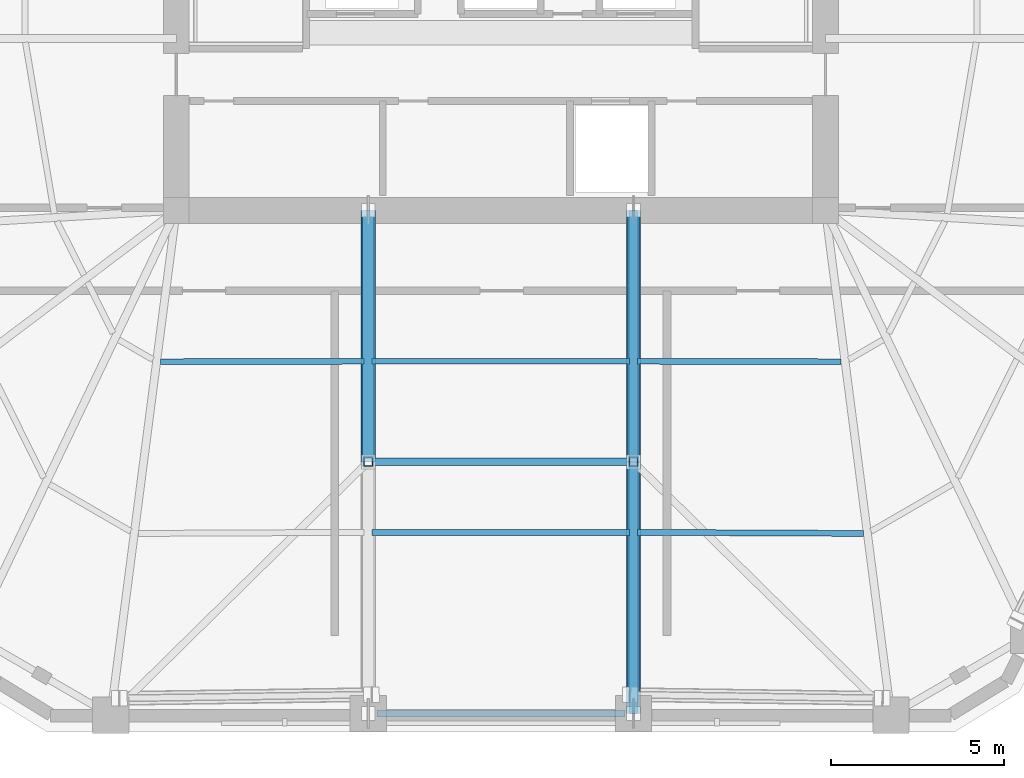
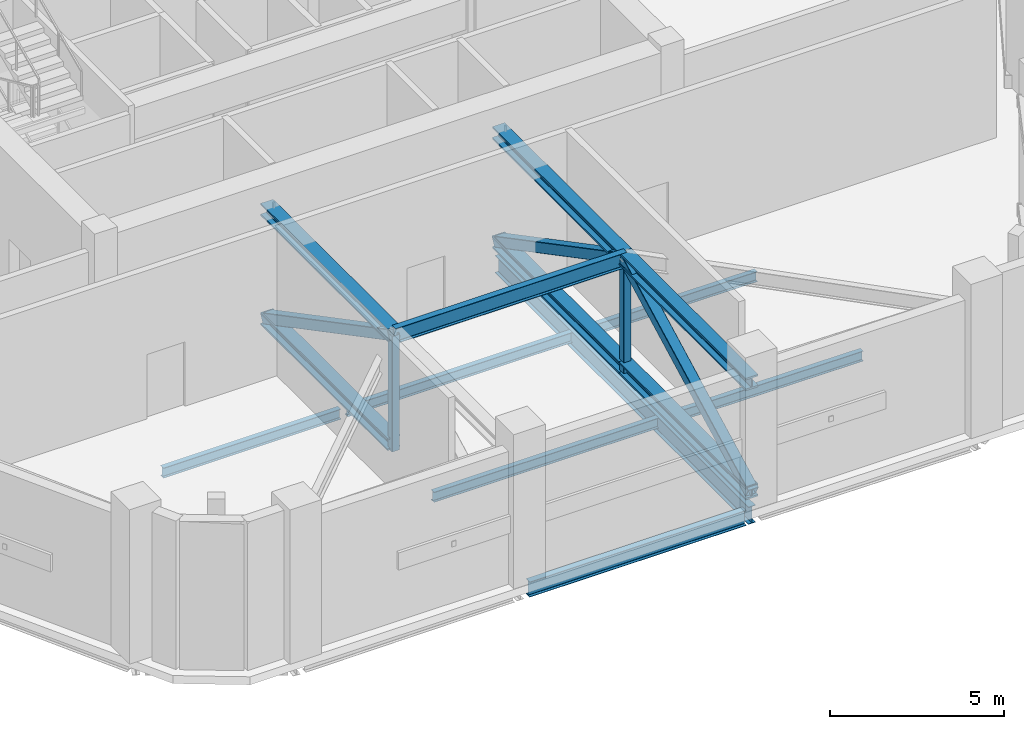
# One storey, part 2 of 15: 11 members, 8 beams.
"""IFC4 building model written with IfcOpenShell, lengths in metres."""

from ifc_helpers import new_model, si_unit, direction, frame, origin, origin_2d, place, context, subcontext, project, spatial, hollow_rectangle, i_section, extrude, material, material_profile, profile_set, type_object, element, save


model = new_model("IFC4")

# Units and contexts
model_context = context("Model", 3, precision=1e-05, world=origin(), true_north=direction((0.0, 1.0)))
body_context = subcontext(model_context, "Body", "Model", "MODEL_VIEW")
ifc_project = project(units=[si_unit("LENGTHUNIT", "METRE"), si_unit("AREAUNIT", "SQUARE_METRE"), si_unit("VOLUMEUNIT", "CUBIC_METRE"), si_unit("PLANEANGLEUNIT", "RADIAN"), si_unit("MASSUNIT", "GRAM", prefix="KILO")], contexts=[model_context])

# Site, building, storey
site_placement = place(None, origin())
site = spatial("IfcSite", under=ifc_project, at=site_placement, CompositionType="ELEMENT")
building_placement = place(site_placement, origin())
building = spatial("IfcBuilding", under=site, at=building_placement, Name="Cinnabar Lancet Tower", CompositionType="ELEMENT")
storey_placement = place(building_placement, frame((0.0, 0.0, 148.10009765625)))
storey = spatial("IfcBuildingStorey", under=building, at=storey_placement, Name="L39", CompositionType="ELEMENT", Elevation=148.10009765625)

# Beams
ifc_material_1 = material(Name="Structural steel S355", Category="steel")
ifc_material_profile_1 = material_profile(ifc_material_1, i_section(OverallWidth=0.17138671875, OverallDepth=0.35498046875, WebThickness=0.00732421875, FlangeThickness=0.011474609375, FilletRadius=0.01025390625, at=origin_2d()), Name="UKB 356x171x51")
ifc_profile_set_1 = profile_set([ifc_material_profile_1], Name="Structural steel S355")
beam_type_1 = type_object("IfcBeamType", Name="STR-BM-JST-356", PredefinedType="JOIST", material=ifc_profile_set_1)
beam_1_placement = place(storey_placement, frame((22.572021484375, 14.14892578125, -0.4580078125), z_axis=(0.999996247906, 0.002739374605, 0.0), x_axis=(-0.002739374605, 0.999996247906, 0.0)))
element("IfcBeam", 1, at=beam_1_placement, inside=storey, type_object=beam_type_1, Name="L39 Secondary Floor Joist 10", PredefinedType="JOIST", context=body_context, shape_type="SweptSolid", body=[
    extrude(i_section(OverallWidth=0.17138671875, OverallDepth=0.35498046875, WebThickness=0.00732421875, FlangeThickness=0.011474609375, FilletRadius=0.01025390625, at=origin_2d()), origin(), (0.0, 0.0, 1.0), 5.882080078125),
])
for number, where, z_axis, x_axis, name in (
    (2, (28.681884765625, 9.22412109375, -0.4580078125), (1.0, 0.0, 0.0), (0.0, 1.0, 0.0), "L39 Secondary Floor Joist 11"),
    (3, (28.681884765625, 14.1650390625, -0.4580078125), (1.0, 0.0, 0.0), (0.0, 1.0, 0.0), "L39 Secondary Floor Joist 12"),
):
    element("IfcBeam", number, at=place(storey_placement, frame(where, z_axis=z_axis, x_axis=x_axis)), inside=storey, type_object=beam_type_1, Name=name, PredefinedType="JOIST", context=body_context, shape_type="SweptSolid", body=[
        extrude(i_section(OverallWidth=0.17138671875, OverallDepth=0.35498046875, WebThickness=0.00732421875, FlangeThickness=0.011474609375, FilletRadius=0.01025390625, at=origin_2d()), origin(), (0.0, 0.0, 1.0), 7.43603515625),
    ])
beam_2_placement = place(storey_placement, frame((36.345947265625, 9.222900390625, -0.4580078125), z_axis=(0.999987991898, -0.004900618269, 0.0), x_axis=(0.004900618269, 0.999987991898, 0.0)))
element("IfcBeam", 4, at=beam_2_placement, inside=storey, type_object=beam_type_1, Name="L39 Secondary Floor Joist 13", PredefinedType="JOIST", context=body_context, shape_type="SweptSolid", body=[
    extrude(i_section(OverallWidth=0.17138671875, OverallDepth=0.35498046875, WebThickness=0.00732421875, FlangeThickness=0.011474609375, FilletRadius=0.01025390625, at=origin_2d()), origin(), (0.0, 0.0, 1.0), 6.526123046875),
])
beam_3_placement = place(storey_placement, frame((36.345947265625, 14.1650390625, -0.4580078125), z_axis=(0.999996247906, -0.002739374605, 0.0), x_axis=(0.002739374605, 0.999996247906, 0.0)))
element("IfcBeam", 5, at=beam_3_placement, inside=storey, type_object=beam_type_1, Name="L39 Secondary Floor Joist 14", PredefinedType="JOIST", context=body_context, shape_type="SweptSolid", body=[
    extrude(i_section(OverallWidth=0.17138671875, OverallDepth=0.35498046875, WebThickness=0.00732421875, FlangeThickness=0.011474609375, FilletRadius=0.01025390625, at=origin_2d()), origin(), (0.0, 0.0, 1.0), 5.882080078125),
])
ifc_material_2 = material(Name="Structural steel S355", Category="steel")
ifc_material_profile_2 = material_profile(ifc_material_2, i_section(OverallWidth=0.209228515625, OverallDepth=0.533203125, WebThickness=0.010009765625, FlangeThickness=0.015625, FilletRadius=0.0126953125, at=origin_2d()), Name="UKB 533x210x92")
ifc_profile_set_2 = profile_set([ifc_material_profile_2], Name="Structural steel S355")
beam_type_2 = type_object("IfcBeamType", Name="STR-BM-SPN-533", PredefinedType="SPANDREL", material=ifc_profile_set_2)
beam_4_placement = place(storey_placement, frame((28.818115234375, 3.991943359375, -0.547119140625), z_axis=(1.0, 0.0, 0.0), x_axis=(0.0, 1.0, 0.0)))
element("IfcBeam", 6, at=beam_4_placement, inside=storey, type_object=beam_type_2, Name="L39 Perimeter Spandrel 2", PredefinedType="SPANDREL", context=body_context, shape_type="SweptSolid", body=[
    extrude(i_section(OverallWidth=0.209228515625, OverallDepth=0.533203125, WebThickness=0.010009765625, FlangeThickness=0.015625, FilletRadius=0.0126953125, at=origin_2d()), origin(), (0.0, 0.0, 1.0), 7.163818359375),
])
ifc_material_3 = material(Name="Structural steel S355", Category="steel")
ifc_material_profile_3 = material_profile(ifc_material_3, i_section(OverallWidth=0.209228515625, OverallDepth=0.533203125, WebThickness=0.010009765625, FlangeThickness=0.015625, FilletRadius=0.0126953125, at=origin_2d()), Name="UKB 533x210x92")
ifc_profile_set_3 = profile_set([ifc_material_profile_3], Name="Structural steel S355")
beam_type_3 = type_object("IfcBeamType", Name="STR-BM-UKB533-92", PredefinedType="BEAM", material=ifc_profile_set_3)
beam_5_placement = place(storey_placement, frame((28.568115234375, 11.258056640625, 3.992919921875), z_axis=(1.0, 0.0, 0.0), x_axis=(0.0, 1.0, 0.0)))
element("IfcBeam", 7, at=beam_5_placement, inside=storey, type_object=beam_type_3, Name="L39 Outrigger S Tie Beam 2", PredefinedType="BEAM", context=body_context, shape_type="SweptSolid", body=[
    extrude(i_section(OverallWidth=0.209228515625, OverallDepth=0.533203125, WebThickness=0.010009765625, FlangeThickness=0.015625, FilletRadius=0.0126953125, at=origin_2d()), origin(), (0.0, 0.0, 1.0), 7.663818359375),
])
ifc_material_4 = material(Name="Structural steel S355", Category="steel")
ifc_material_profile_4 = material_profile(ifc_material_4, i_section(OverallWidth=0.228271484375, OverallDepth=0.607666015625, WebThickness=0.010986328125, FlangeThickness=0.017333984375, FilletRadius=0.0126953125, at=origin_2d()), Name="UKB 610x229x113")
ifc_profile_set_4 = profile_set([ifc_material_profile_4], Name="Structural steel S355")
beam_type_4 = type_object("IfcBeamType", Name="STR-BM-UKB610-113", PredefinedType="BEAM", material=ifc_profile_set_4)
beam_6_placement = place(storey_placement, frame((36.23193359375, 3.991943359375, -0.583984375), z_axis=(0.0, 1.0, 0.0), x_axis=(-1.0, 0.0, 0.0)))
element("IfcBeam", 8, at=beam_6_placement, inside=storey, type_object=beam_type_4, Name="L39 Primary Floor Girder 3", PredefinedType="BEAM", context=body_context, shape_type="SweptSolid", body=[
    extrude(i_section(OverallWidth=0.228271484375, OverallDepth=0.607666015625, WebThickness=0.010986328125, FlangeThickness=0.017333984375, FilletRadius=0.0126953125, at=origin_2d()), origin(), (0.0, 0.0, 1.0), 14.532958984375),
])

# Members
ifc_material_5 = material(Name="Structural steel S460", Category="steel")
ifc_material_profile_5 = material_profile(ifc_material_5, hollow_rectangle(XDim=0.25, YDim=0.25, WallThickness=0.012451171875, InnerFilletRadius=0.00634765625, OuterFilletRadius=0.018798828125, at=origin_2d()), Name="SHS 250x250x12.5")
ifc_profile_set_5 = profile_set([ifc_material_profile_5], Name="Structural steel S460")
member_type_1 = type_object("IfcMemberType", Name="STR-MEM-BT-PST250", PredefinedType="STRUT", material=ifc_profile_set_5)
for number, where, z_axis, x_axis, name in (
    (9, (28.568115234375, 11.258056640625, 0.0), (0.0, 0.0, 1.0), (1.0, 0.0, 0.0), "L39 Outrigger Truss 1 Web Strut"),
    (10, (36.23193359375, 11.258056640625, 0.0), (0.0, 0.0, 1.0), (1.0, 0.0, 0.0), "L39 Outrigger Truss 2 Web Strut"),
):
    element("IfcMember", number, at=place(storey_placement, frame(where, z_axis=z_axis, x_axis=x_axis)), inside=storey, type_object=member_type_1, Name=name, PredefinedType="STRUT", context=body_context, shape_type="SweptSolid", body=[
        extrude(hollow_rectangle(XDim=0.25, YDim=0.25, WallThickness=0.012451171875, InnerFilletRadius=0.00634765625, OuterFilletRadius=0.018798828125, at=origin_2d()), origin(), (0.0, 0.0, 1.0), 4.039794921875),
    ])
ifc_material_6 = material(Name="Structural steel S460", Category="steel")
ifc_material_profile_6 = material_profile(ifc_material_6, hollow_rectangle(XDim=0.35009765625, YDim=0.35009765625, WallThickness=0.01611328125, InnerFilletRadius=0.008056640625, OuterFilletRadius=0.02392578125, at=origin_2d()), Name="SHS 350x350x16")
ifc_profile_set_6 = profile_set([ifc_material_profile_6], Name="Structural steel S460")
member_type_2 = type_object("IfcMemberType", Name="STR-MEM-OT-BRC350", PredefinedType="BRACE", material=ifc_profile_set_6)
for number, where, z_axis, x_axis, name in (
    (11, (28.568115234375, 18.52490234375, 0.219970703125), (0.0, -0.885160653418, 0.465285522707), (1.0, 0.0, 0.0), "L39 Outrigger Truss 1 Diagonal 1"),
    (12, (36.23193359375, 18.52490234375, 0.219970703125), (0.0, -0.885160653418, 0.465285522707), (1.0, 0.0, 0.0), "L39 Outrigger Truss 2 Diagonal 1"),
):
    element("IfcMember", number, at=place(storey_placement, frame(where, z_axis=z_axis, x_axis=x_axis)), inside=storey, type_object=member_type_2, Name=name, PredefinedType="BRACE", context=body_context, shape_type="SweptSolid", body=[
        extrude(hollow_rectangle(XDim=0.35009765625, YDim=0.35009765625, WallThickness=0.01611328125, InnerFilletRadius=0.008056640625, OuterFilletRadius=0.02392578125, at=origin_2d()), origin(), (0.0, 0.0, 1.0), 8.209716796875),
    ])
member_1_placement = place(storey_placement, frame((36.23193359375, 11.258056640625, 4.039794921875), z_axis=(0.0, -0.885141336938, -0.465322268588), x_axis=(1.0, 0.0, 0.0)))
element("IfcMember", 13, at=member_1_placement, inside=storey, type_object=member_type_2, Name="L39 Outrigger Truss 2 Diagonal 2", PredefinedType="BRACE", context=body_context, shape_type="SweptSolid", body=[
    extrude(hollow_rectangle(XDim=0.35009765625, YDim=0.35009765625, WallThickness=0.01611328125, InnerFilletRadius=0.008056640625, OuterFilletRadius=0.02392578125, at=origin_2d()), origin(), (0.0, 0.0, 1.0), 8.208984375),
])
ifc_material_7 = material(Name="Structural steel S460", Category="steel")
ifc_material_profile_7 = material_profile(ifc_material_7, i_section(OverallWidth=0.412109375, OverallDepth=0.43505859375, WebThickness=0.035888671875, FlangeThickness=0.05810546875, FilletRadius=0.014892578125, at=origin_2d()), Name="HD 400x463")
ifc_profile_set_7 = profile_set([ifc_material_profile_7], Name="Structural steel S460")
member_type_3 = type_object("IfcMemberType", Name="STR-MEM-OT-CHD463", PredefinedType="CHORD", material=ifc_profile_set_7)
for number, where, z_axis, x_axis, name in (
    (14, (28.568115234375, 18.52490234375, 0.219970703125), (0.0, -1.0, 0.0), (1.0, 0.0, 0.0), "L39 Outrigger Truss 1 Chord BC1"),
    (15, (28.568115234375, 18.52490234375, 4.039794921875), (0.0, -1.0, 0.0), (1.0, 0.0, 0.0), "L39 Outrigger Truss 1 Chord TC1"),
    (16, (36.23193359375, 18.52490234375, 0.219970703125), (0.0, -1.0, 0.0), (1.0, 0.0, 0.0), "L39 Outrigger Truss 2 Chord BC1"),
):
    element("IfcMember", number, at=place(storey_placement, frame(where, z_axis=z_axis, x_axis=x_axis)), inside=storey, type_object=member_type_3, Name=name, PredefinedType="CHORD", context=body_context, shape_type="SweptSolid", body=[
        extrude(i_section(OverallWidth=0.412109375, OverallDepth=0.43505859375, WebThickness=0.035888671875, FlangeThickness=0.05810546875, FilletRadius=0.014892578125, at=origin_2d()), origin(), (0.0, 0.0, 1.0), 7.266845703125),
    ])
member_2_placement = place(storey_placement, frame((36.23193359375, 11.258056640625, 0.219970703125), z_axis=(0.0, -1.0, 0.0), x_axis=(1.0, 0.0, 0.0)))
element("IfcMember", 17, at=member_2_placement, inside=storey, type_object=member_type_3, Name="L39 Outrigger Truss 2 Chord BC2", PredefinedType="CHORD", context=body_context, shape_type="SweptSolid", body=[
    extrude(i_section(OverallWidth=0.412109375, OverallDepth=0.43505859375, WebThickness=0.035888671875, FlangeThickness=0.05810546875, FilletRadius=0.014892578125, at=origin_2d()), origin(), (0.0, 0.0, 1.0), 7.26611328125),
])
member_3_placement = place(storey_placement, frame((36.23193359375, 18.52490234375, 4.039794921875), z_axis=(0.0, -1.0, 0.0), x_axis=(1.0, 0.0, 0.0)))
element("IfcMember", 18, at=member_3_placement, inside=storey, type_object=member_type_3, Name="L39 Outrigger Truss 2 Chord TC1", PredefinedType="CHORD", context=body_context, shape_type="SweptSolid", body=[
    extrude(i_section(OverallWidth=0.412109375, OverallDepth=0.43505859375, WebThickness=0.035888671875, FlangeThickness=0.05810546875, FilletRadius=0.014892578125, at=origin_2d()), origin(), (0.0, 0.0, 1.0), 7.266845703125),
])
member_4_placement = place(storey_placement, frame((36.23193359375, 11.258056640625, 4.039794921875), z_axis=(0.0, -1.0, 0.0), x_axis=(1.0, 0.0, 0.0)))
element("IfcMember", 19, at=member_4_placement, inside=storey, type_object=member_type_3, Name="L39 Outrigger Truss 2 Chord TC2", PredefinedType="CHORD", context=body_context, shape_type="SweptSolid", body=[
    extrude(i_section(OverallWidth=0.412109375, OverallDepth=0.43505859375, WebThickness=0.035888671875, FlangeThickness=0.05810546875, FilletRadius=0.014892578125, at=origin_2d()), origin(), (0.0, 0.0, 1.0), 7.26611328125),
])

save(model, "model.ifc")
